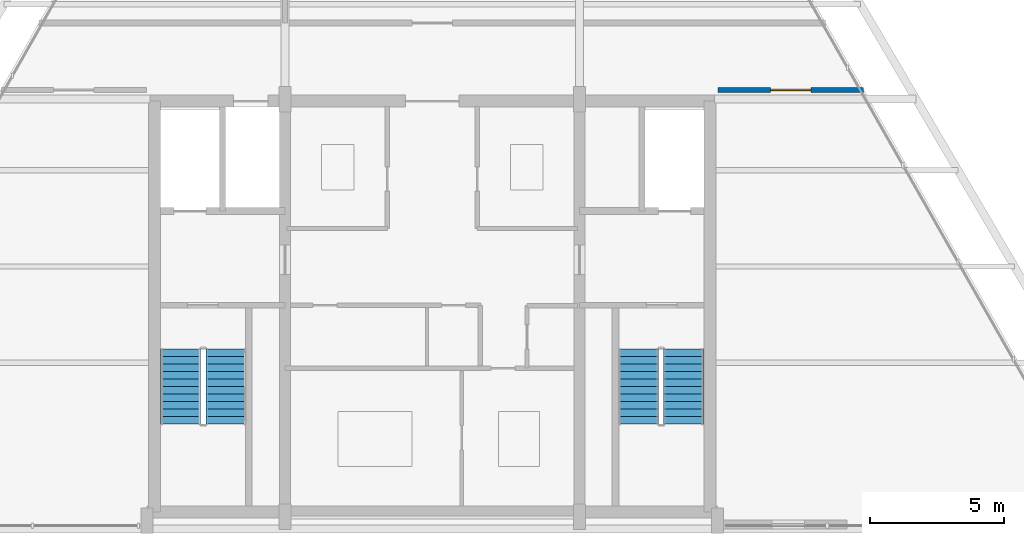
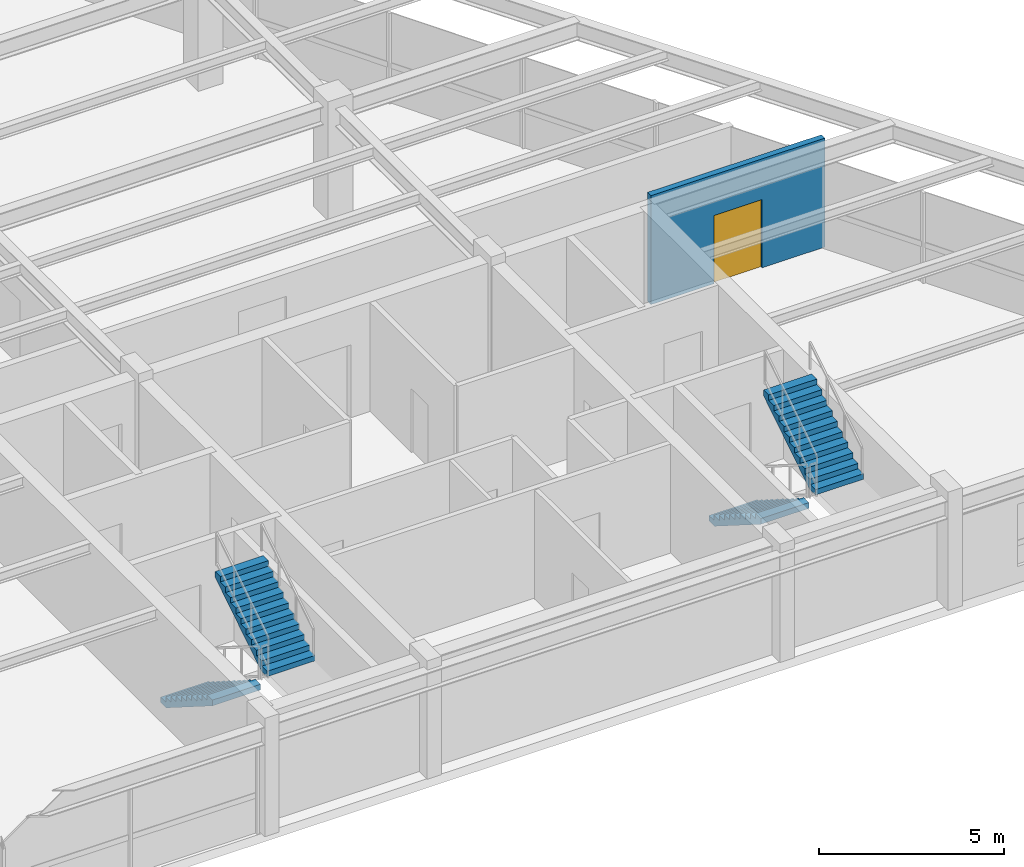
# One storey, part 11 of 12: 4 stair flights, 1 door, 1 wall, 1 opening, 2 elements without a shape of their own.
"""IFC4 building model written with IfcOpenShell, lengths in metres."""

from ifc_helpers import new_model, si_unit, direction, frame, frame_2d, origin, place, context, subcontext, project, spatial, polyline, rectangle, outline, extrude, source, transform, mapped, material, layer, layer_set, type_object, type_shapes, element, fill, aggregate, save


model = new_model("IFC4")

# Units and contexts
model_context = context("Model", 3, precision=1e-05, world=origin(), true_north=direction((0.0, 1.0)))
body_context = subcontext(model_context, "Body", "Model", "MODEL_VIEW")
ifc_project = project(units=[si_unit("LENGTHUNIT", "METRE"), si_unit("AREAUNIT", "SQUARE_METRE"), si_unit("VOLUMEUNIT", "CUBIC_METRE"), si_unit("PLANEANGLEUNIT", "RADIAN"), si_unit("MASSUNIT", "GRAM", prefix="KILO")], contexts=[model_context])

# Site, building, storey
site_placement = place(None, origin())
site = spatial("IfcSite", under=ifc_project, at=site_placement, CompositionType="ELEMENT")
building_placement = place(site_placement, origin())
building = spatial("IfcBuilding", under=site, at=building_placement, Name="Varnakhor Terracotta Tower", CompositionType="ELEMENT")
storey_placement = place(building_placement, frame((0.0, 0.0, 309.699951171875)))
storey = spatial("IfcBuildingStorey", under=building, at=storey_placement, Name="L81 Crown", CompositionType="ELEMENT", Elevation=309.699951171875)

# Wall, opening, door
ifc_material_1 = material(Name="Fire-Rated Gypsum Stud Partition", Category="gypsum")
ifc_layer = layer(ifc_material_1, 0.18505859375, Name="Fire-Rated Gypsum Stud Partition")
ifc_layer_set = layer_set([ifc_layer], Name="Fire-Rated Gypsum Stud Partition")
wall_type = type_object("IfcWallType", Name="WAL-CORR-185", PredefinedType="PARTITIONING", material=ifc_layer_set)
wall_placement = place(storey_placement, frame((10.679931640625, 16.39990234375, 0.0), z_axis=(0.0, 0.0, 1.0), x_axis=(1.0, 0.0, 0.0)))
wall = element("IfcWall", 1, at=wall_placement, inside=storey, type_object=wall_type, Name="L81 Crown East Plant Wall", PredefinedType="PARTITIONING", context=body_context, shape_type="SweptSolid", body=[
    extrude(rectangle(XDim=5.4306640625, YDim=0.18505859375, at=frame_2d((2.71533203125, 0.0))), origin(), (0.0, 0.0, 1.0), 3.592041015625),
])
opening_placement = place(wall_placement, frame((1.96533203125, 0.0, 0.0)))
opening = element("IfcOpeningElement", 2, at=opening_placement, cuts=wall, Name="Opening DR-30", PredefinedType="OPENING", context=body_context, shape_type="SweptSolid", body=[
    extrude(rectangle(XDim=1.5, YDim=2.25, at=frame_2d((0.75, 1.125))), frame((0.0, 0.1025390625, 0.0), z_axis=(0.0, -1.0, 0.0), x_axis=(1.0, 0.0, 0.0)), (0.0, 0.0, 1.0), 0.205078125),
])
ifc_material_2 = material(Name="Double Acoustic Conference Room Door", Category="wood")
door_type = type_object("IfcDoorType", Name="DR-MEET-1500X2250", OperationType="NOTDEFINED", PredefinedType="DOOR", material=ifc_material_2)
shared_shape = source(origin(), body_context, "Body", "SweptSolid", [
    extrude(rectangle(XDim=1.5, YDim=2.25, at=frame_2d((0.75, 1.125))), frame((0.0, 0.02490234375, 0.0), z_axis=(0.0, -1.0, 0.0), x_axis=(1.0, 0.0, 0.0)), (0.0, 0.0, 1.0), 0.050048828125),
])
type_shapes(door_type, [shared_shape])
door_placement = place(opening_placement, origin())
door = element("IfcDoor", 3, at=door_placement, inside=storey, type_object=door_type, Name="L81 Crown East Electrical Room Door", OperationType="DOUBLE_DOOR_SINGLE_SWING", OverallHeight=2.25, OverallWidth=1.5, PredefinedType="DOOR", context=body_context, shape_type="MappedRepresentation", body=[
    mapped(shared_shape, transform((0.0, 0.0, 0.0), scale=1.0)),
])
fill(opening, door)

# Stair, stair flights
ifc_material_3 = material(Name="Concrete C40/50", Category="concrete")
stair_type = type_object("IfcStairType", Name="STR-CORE-HOTEL-1500", PredefinedType="HALF_TURN_STAIR", material=ifc_material_3)
stair_1_placement = place(storey_placement, origin())
stair_1 = element("IfcStair", 4, at=stair_1_placement, inside=storey, type_object=stair_type, Name="L81 Crown Core Exit Stair ST-1", PredefinedType="HALF_TURN_STAIR")
stair_flight_type = type_object("IfcStairFlightType", Name="FLT-HOTEL-1500", PredefinedType="STRAIGHT", material=ifc_material_3)
stair_flight_1_placement = place(storey_placement, frame((-9.39990234375, 6.7099609375, 0.0), z_axis=(0.0, 0.0, 1.0), x_axis=(0.0, -1.0, 0.0)))
stair_flight_1 = element("IfcStairFlight", 5, at=stair_flight_1_placement, type_object=stair_flight_type, Name="ST-1 flight 1", NumberOfRisers=11, NumberOfTreads=10, PredefinedType="STRAIGHT", RiserHeight=0.177272727, TreadLength=0.28, context=body_context, shape_type="SweptSolid", body=[
    extrude(outline(polyline([(0.0, 0.0), (0.0, 0.17724609375), (0.280029296875, 0.17724609375), (0.280029296875, 0.3544921875), (0.56005859375, 0.3544921875), (0.56005859375, 0.53173828125), (0.840087890625, 0.53173828125), (0.840087890625, 0.708984375), (1.1201171875, 0.708984375), (1.1201171875, 0.886474609375), (1.39990234375, 0.886474609375), (1.39990234375, 1.063720703125), (1.679931640625, 1.063720703125), (1.679931640625, 1.240966796875), (1.9599609375, 1.240966796875), (1.9599609375, 1.418212890625), (2.239990234375, 1.418212890625), (2.239990234375, 1.595458984375), (2.52001953125, 1.595458984375), (2.52001953125, 1.772705078125), (2.800048828125, 1.772705078125), (2.800048828125, 1.949951171875), (2.800048828125, 1.58349609375), (0.298828125, 0.0), (0.0, 0.0)])), frame((0.0, 0.75, 0.0), z_axis=(0.0, -1.0, 0.0), x_axis=(1.0, 0.0, 0.0)), (0.0, 0.0, 1.0), 1.5),
])
stair_flight_2_placement = place(storey_placement, frame((-7.699951171875, 3.909912109375, 1.949951171875), z_axis=(0.0, 0.0, 1.0), x_axis=(0.0, 1.0, 0.0)))
stair_flight_2 = element("IfcStairFlight", 6, at=stair_flight_2_placement, type_object=stair_flight_type, Name="ST-1 flight 2", NumberOfRisers=11, NumberOfTreads=10, PredefinedType="STRAIGHT", RiserHeight=0.177272727, TreadLength=0.28, context=body_context, shape_type="SweptSolid", body=[
    extrude(outline(polyline([(0.0, 0.0), (0.0, 0.17724609375), (0.280029296875, 0.17724609375), (0.280029296875, 0.3544921875), (0.56005859375, 0.3544921875), (0.56005859375, 0.53173828125), (0.840087890625, 0.53173828125), (0.840087890625, 0.708984375), (1.1201171875, 0.708984375), (1.1201171875, 0.886474609375), (1.39990234375, 0.886474609375), (1.39990234375, 1.063720703125), (1.679931640625, 1.063720703125), (1.679931640625, 1.240966796875), (1.9599609375, 1.240966796875), (1.9599609375, 1.418212890625), (2.239990234375, 1.418212890625), (2.239990234375, 1.595458984375), (2.52001953125, 1.595458984375), (2.52001953125, 1.772705078125), (2.800048828125, 1.772705078125), (2.800048828125, 1.949951171875), (2.800048828125, 1.58349609375), (0.298828125, 0.0), (0.0, 0.0)])), frame((0.0, 0.75, 0.0), z_axis=(0.0, -1.0, 0.0), x_axis=(1.0, 0.0, 0.0)), (0.0, 0.0, 1.0), 1.5),
])
aggregate(stair_1, [stair_flight_1, stair_flight_2])

stair_2_placement = place(storey_placement, origin())
stair_2 = element("IfcStair", 7, at=stair_2_placement, inside=storey, type_object=stair_type, Name="L81 Crown Core Exit Stair ST-2", PredefinedType="HALF_TURN_STAIR")
stair_flight_3_placement = place(storey_placement, frame((7.699951171875, 6.7099609375, 0.0), z_axis=(0.0, 0.0, 1.0), x_axis=(0.0, -1.0, 0.0)))
stair_flight_3 = element("IfcStairFlight", 8, at=stair_flight_3_placement, type_object=stair_flight_type, Name="ST-2 flight 1", NumberOfRisers=11, NumberOfTreads=10, PredefinedType="STRAIGHT", RiserHeight=0.177272727, TreadLength=0.28, context=body_context, shape_type="SweptSolid", body=[
    extrude(outline(polyline([(0.0, 0.0), (0.0, 0.17724609375), (0.280029296875, 0.17724609375), (0.280029296875, 0.3544921875), (0.56005859375, 0.3544921875), (0.56005859375, 0.53173828125), (0.840087890625, 0.53173828125), (0.840087890625, 0.708984375), (1.1201171875, 0.708984375), (1.1201171875, 0.886474609375), (1.39990234375, 0.886474609375), (1.39990234375, 1.063720703125), (1.679931640625, 1.063720703125), (1.679931640625, 1.240966796875), (1.9599609375, 1.240966796875), (1.9599609375, 1.418212890625), (2.239990234375, 1.418212890625), (2.239990234375, 1.595458984375), (2.52001953125, 1.595458984375), (2.52001953125, 1.772705078125), (2.800048828125, 1.772705078125), (2.800048828125, 1.949951171875), (2.800048828125, 1.58349609375), (0.298828125, 0.0), (0.0, 0.0)])), frame((0.0, 0.75, 0.0), z_axis=(0.0, -1.0, 0.0), x_axis=(1.0, 0.0, 0.0)), (0.0, 0.0, 1.0), 1.5),
])
stair_flight_4_placement = place(storey_placement, frame((9.39990234375, 3.909912109375, 1.949951171875), z_axis=(0.0, 0.0, 1.0), x_axis=(0.0, 1.0, 0.0)))
stair_flight_4 = element("IfcStairFlight", 9, at=stair_flight_4_placement, type_object=stair_flight_type, Name="ST-2 flight 2", NumberOfRisers=11, NumberOfTreads=10, PredefinedType="STRAIGHT", RiserHeight=0.177272727, TreadLength=0.28, context=body_context, shape_type="SweptSolid", body=[
    extrude(outline(polyline([(0.0, 0.0), (0.0, 0.17724609375), (0.280029296875, 0.17724609375), (0.280029296875, 0.3544921875), (0.56005859375, 0.3544921875), (0.56005859375, 0.53173828125), (0.840087890625, 0.53173828125), (0.840087890625, 0.708984375), (1.1201171875, 0.708984375), (1.1201171875, 0.886474609375), (1.39990234375, 0.886474609375), (1.39990234375, 1.063720703125), (1.679931640625, 1.063720703125), (1.679931640625, 1.240966796875), (1.9599609375, 1.240966796875), (1.9599609375, 1.418212890625), (2.239990234375, 1.418212890625), (2.239990234375, 1.595458984375), (2.52001953125, 1.595458984375), (2.52001953125, 1.772705078125), (2.800048828125, 1.772705078125), (2.800048828125, 1.949951171875), (2.800048828125, 1.58349609375), (0.298828125, 0.0), (0.0, 0.0)])), frame((0.0, 0.75, 0.0), z_axis=(0.0, -1.0, 0.0), x_axis=(1.0, 0.0, 0.0)), (0.0, 0.0, 1.0), 1.5),
])
aggregate(stair_2, [stair_flight_3, stair_flight_4])

save(model, "model.ifc")
